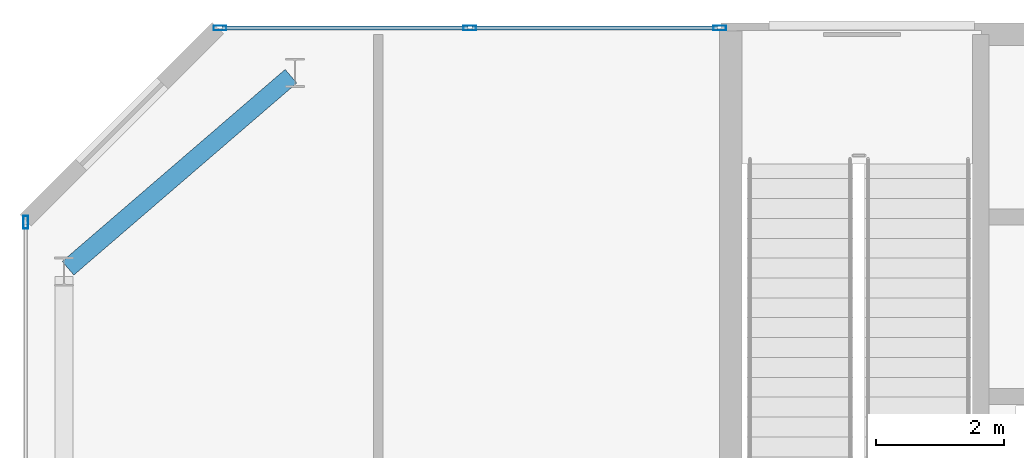
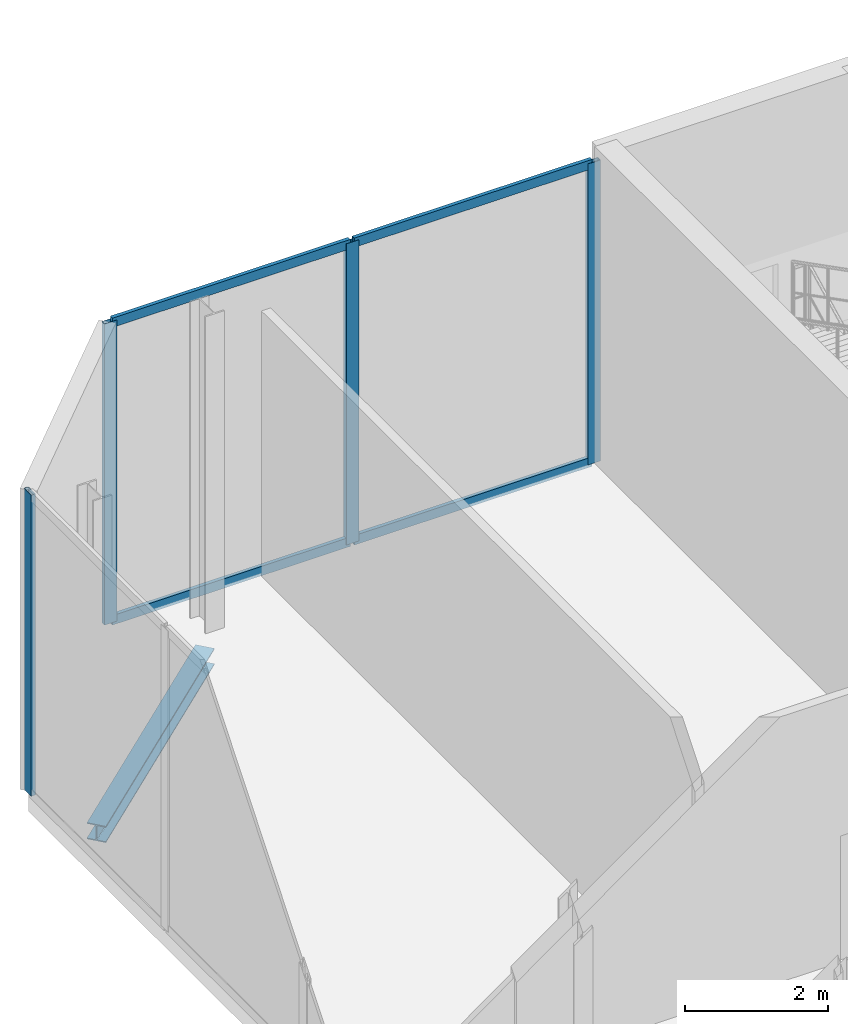
# One storey, part 12 of 17: 8 members, 1 beam, 2 elements without a shape of their own.
"""IFC4 building model written with IfcOpenShell, lengths in metres."""

from ifc_helpers import new_model, si_unit, direction, frame, origin, origin_2d, place, context, subcontext, project, spatial, hollow_rectangle, i_section, extrude, material, layer, layer_set, material_profile, profile_set, type_object, element, aggregate, save


model = new_model("IFC4")

# Units and contexts
model_context = context("Model", 3, precision=1e-05, world=origin(), true_north=direction((0.0, 1.0)))
body_context = subcontext(model_context, "Body", "Model", "MODEL_VIEW")
ifc_project = project(units=[si_unit("LENGTHUNIT", "METRE"), si_unit("AREAUNIT", "SQUARE_METRE"), si_unit("VOLUMEUNIT", "CUBIC_METRE"), si_unit("PLANEANGLEUNIT", "RADIAN"), si_unit("MASSUNIT", "GRAM", prefix="KILO")], contexts=[model_context])

# Site, building, storey
site_placement = place(None, origin())
site = spatial("IfcSite", under=ifc_project, at=site_placement, CompositionType="ELEMENT")
building_placement = place(site_placement, origin())
building = spatial("IfcBuilding", under=site, at=building_placement, Name="Catumbela Crestline Tower", CompositionType="ELEMENT")
storey_placement = place(building_placement, frame((0.0, 0.0, 213.0)))
storey = spatial("IfcBuildingStorey", under=building, at=storey_placement, Name="L55", CompositionType="ELEMENT", Elevation=213.0)

# Curtain wall, members
ifc_material_1 = material(Name="Aluminium alloy AW-6060-T66", Category="aluminium")
ifc_layer = layer(ifc_material_1, 0.18, Name="Aluminium alloy AW-6060-T66")
ifc_layer_set = layer_set([ifc_layer], Name="Aluminium alloy AW-6060-T66")
curtain_wall_type = type_object("IfcCurtainWallType", Name="CWU-SKY", PredefinedType="USERDEFINED", material=ifc_layer_set)
curtain_wall_1_placement = place(storey_placement, origin())
curtain_wall_1 = element("IfcCurtainWall", 1, at=curtain_wall_1_placement, inside=storey, type_object=curtain_wall_type, Name="L55 Unitised Curtain Wall CW-L55-E7S2", ObjectType="UNITISED", PredefinedType="USERDEFINED")
ifc_material_profile_1 = material_profile(ifc_material_1, hollow_rectangle(XDim=0.075, YDim=0.2, WallThickness=0.005, at=origin_2d()), Name="ALU 200x75x5")
ifc_profile_set_1 = profile_set([ifc_material_profile_1], Name="Aluminium alloy AW-6060-T66")
member_type_1 = type_object("IfcMemberType", Name="MUL-200X75", PredefinedType="MULLION", material=ifc_profile_set_1)
member_1_placement = place(storey_placement, frame((15.8275, 43.0, 0.0), z_axis=(0.0, 0.0, 1.0), x_axis=(0.0, -1.0, 0.0)))
member_1 = element("IfcMember", 2, at=member_1_placement, type_object=member_type_1, Name="CWU-SKY mullion 1", PredefinedType="MULLION", context=body_context, shape_type="SweptSolid", body=[
    extrude(hollow_rectangle(XDim=0.075, YDim=0.2, WallThickness=0.005, at=origin_2d()), origin(), (0.0, 0.0, 1.0), 5.13),
])
member_2_placement = place(storey_placement, frame((11.93, 43.0, 0.0), z_axis=(0.0, 0.0, 1.0), x_axis=(0.0, -1.0, 0.0)))
member_2 = element("IfcMember", 3, at=member_2_placement, type_object=member_type_1, Name="CWU-SKY mullion 2", PredefinedType="MULLION", context=body_context, shape_type="SweptSolid", body=[
    extrude(hollow_rectangle(XDim=0.075, YDim=0.2, WallThickness=0.005, at=origin_2d()), origin(), (0.0, 0.0, 1.0), 5.13),
])
member_3_placement = place(storey_placement, frame((8.0325, 43.0, 0.0), z_axis=(0.0, 0.0, 1.0), x_axis=(0.0, -1.0, 0.0)))
member_3 = element("IfcMember", 4, at=member_3_placement, type_object=member_type_1, Name="CWU-SKY mullion 3", PredefinedType="MULLION", context=body_context, shape_type="SweptSolid", body=[
    extrude(hollow_rectangle(XDim=0.075, YDim=0.2, WallThickness=0.005, at=origin_2d()), origin(), (0.0, 0.0, 1.0), 5.13),
])

# Curtain wall, member
curtain_wall_2_placement = place(storey_placement, origin())
curtain_wall_2 = element("IfcCurtainWall", 5, at=curtain_wall_2_placement, inside=storey, type_object=curtain_wall_type, Name="L55 Unitised Curtain Wall CW-L55-E9S1", ObjectType="UNITISED", PredefinedType="USERDEFINED")
member_4_placement = place(storey_placement, frame((5.0, 39.9675, 0.0), z_axis=(0.0, 0.0, 1.0), x_axis=(1.0, 0.0, 0.0)))
member_4 = element("IfcMember", 6, at=member_4_placement, type_object=member_type_1, Name="CWU-SKY mullion 1", PredefinedType="MULLION", context=body_context, shape_type="SweptSolid", body=[
    extrude(hollow_rectangle(XDim=0.075, YDim=0.2, WallThickness=0.005, at=origin_2d()), origin(), (0.0, 0.0, 1.0), 5.13),
])
aggregate(curtain_wall_2, [member_4])

# Beam
ifc_material_2 = material(Name="Structural steel S355J2", Category="steel")
ifc_material_profile_2 = material_profile(ifc_material_2, i_section(OverallWidth=0.28, OverallDepth=0.28, WebThickness=0.0105, FlangeThickness=0.018, FilletRadius=0.024, at=origin_2d()), Name="HEB 280")
ifc_profile_set_2 = profile_set([ifc_material_profile_2], Name="Structural steel S355J2")
beam_type = type_object("IfcBeamType", Name="BS-HEB280", PredefinedType="SPANDREL", material=ifc_profile_set_2)
beam_placement = place(storey_placement, frame((5.6606, 39.2522, -0.49), z_axis=(0.757772392559, 0.652518966066, 0.0), x_axis=(-0.652518966066, 0.757772392559, 0.0)))
element("IfcBeam", 7, at=beam_placement, inside=storey, type_object=beam_type, Name="L55 Spandrel SP-L55-N09", PredefinedType="SPANDREL", context=body_context, shape_type="SweptSolid", body=[
    extrude(i_section(OverallWidth=0.28, OverallDepth=0.28, WebThickness=0.0105, FlangeThickness=0.018, FilletRadius=0.024, at=origin_2d()), origin(), (0.0, 0.0, 1.0), 4.5908),
])

# Member
ifc_material_profile_3 = material_profile(ifc_material_1, hollow_rectangle(XDim=0.06, YDim=0.16, WallThickness=0.004, at=origin_2d()), Name="ALU 160x60x4")
ifc_profile_set_3 = profile_set([ifc_material_profile_3], Name="Aluminium alloy AW-6060-T66")
member_type_2 = type_object("IfcMemberType", Name="TRN-160X60", PredefinedType="USERDEFINED", material=ifc_profile_set_3)
member_5_placement = place(storey_placement, frame((15.795, 43.0, 0.03), z_axis=(-1.0, 0.0, 0.0), x_axis=(0.0, -1.0, 0.0)))
member_5 = element("IfcMember", 8, at=member_5_placement, type_object=member_type_2, Name="CWU-SKY transom 1.1", ObjectType="TRANSOM", PredefinedType="USERDEFINED", context=body_context, shape_type="SweptSolid", body=[
    extrude(hollow_rectangle(XDim=0.06, YDim=0.16, WallThickness=0.004, at=origin_2d()), origin(), (0.0, 0.0, 1.0), 3.8325),
])

member_6_placement = place(storey_placement, frame((15.795, 43.0, 5.1), z_axis=(-1.0, 0.0, 0.0), x_axis=(0.0, -1.0, 0.0)))
member_6 = element("IfcMember", 9, at=member_6_placement, type_object=member_type_2, Name="CWU-SKY transom 1.2", ObjectType="TRANSOM", PredefinedType="USERDEFINED", context=body_context, shape_type="SweptSolid", body=[
    extrude(hollow_rectangle(XDim=0.06, YDim=0.16, WallThickness=0.004, at=origin_2d()), origin(), (0.0, 0.0, 1.0), 3.8325),
])

member_7_placement = place(storey_placement, frame((11.8975, 43.0, 0.03), z_axis=(-1.0, 0.0, 0.0), x_axis=(0.0, -1.0, 0.0)))
member_7 = element("IfcMember", 10, at=member_7_placement, type_object=member_type_2, Name="CWU-SKY transom 2.1", ObjectType="TRANSOM", PredefinedType="USERDEFINED", context=body_context, shape_type="SweptSolid", body=[
    extrude(hollow_rectangle(XDim=0.06, YDim=0.16, WallThickness=0.004, at=origin_2d()), origin(), (0.0, 0.0, 1.0), 3.8325),
])

member_8_placement = place(storey_placement, frame((11.8975, 43.0, 5.1), z_axis=(-1.0, 0.0, 0.0), x_axis=(0.0, -1.0, 0.0)))
member_8 = element("IfcMember", 11, at=member_8_placement, type_object=member_type_2, Name="CWU-SKY transom 2.2", ObjectType="TRANSOM", PredefinedType="USERDEFINED", context=body_context, shape_type="SweptSolid", body=[
    extrude(hollow_rectangle(XDim=0.06, YDim=0.16, WallThickness=0.004, at=origin_2d()), origin(), (0.0, 0.0, 1.0), 3.8325),
])

aggregate(curtain_wall_1, [member_1, member_2, member_3, member_5, member_6, member_7, member_8])

save(model, "model.ifc")
